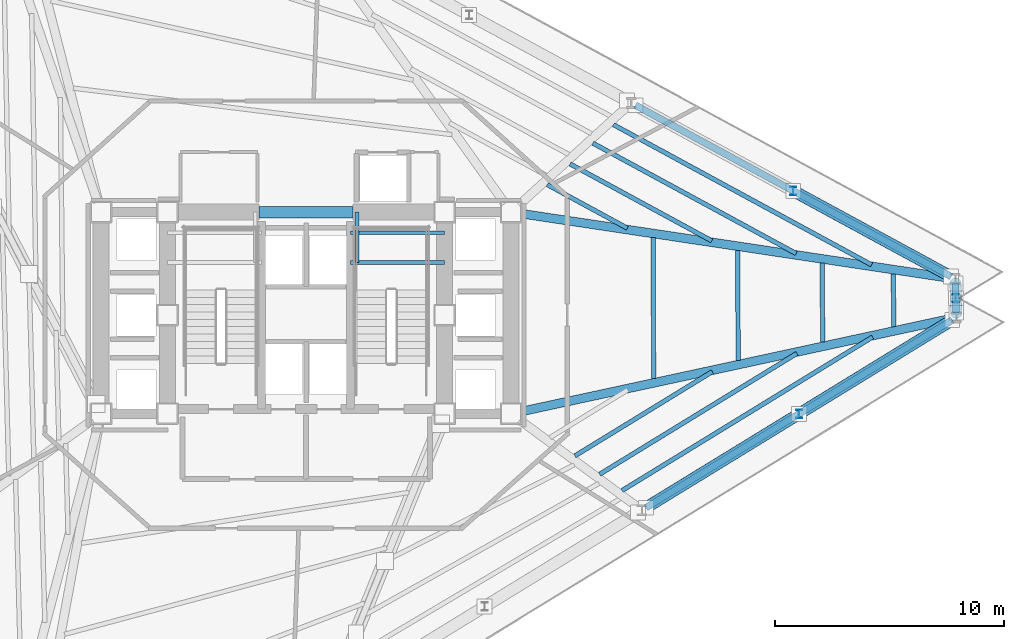
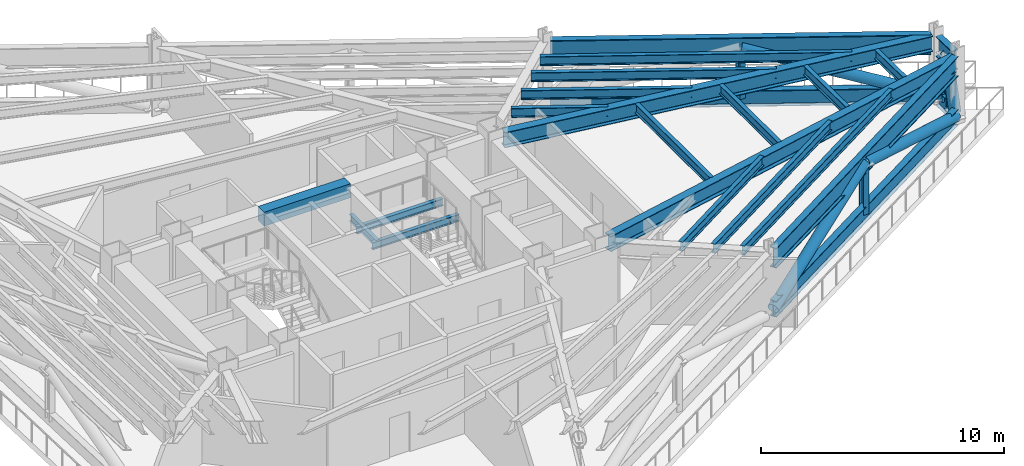
# One storey, part 3 of 10: 20 beams, 11 members.
"""IFC4 building model written with IfcOpenShell, lengths in metres."""

from ifc_helpers import new_model, si_unit, direction, frame, origin, origin_2d, place, context, subcontext, project, spatial, rectangle, hollow_circle, i_section, extrude, material, material_profile, profile_set, type_object, element, save


model = new_model("IFC4")

# Units and contexts
model_context = context("Model", 3, precision=1e-05, world=origin(), true_north=direction((0.0, 1.0)))
body_context = subcontext(model_context, "Body", "Model", "MODEL_VIEW")
ifc_project = project(units=[si_unit("LENGTHUNIT", "METRE"), si_unit("AREAUNIT", "SQUARE_METRE"), si_unit("VOLUMEUNIT", "CUBIC_METRE"), si_unit("PLANEANGLEUNIT", "RADIAN"), si_unit("MASSUNIT", "GRAM", prefix="KILO")], contexts=[model_context])

# Site, building, storey
site_placement = place(None, origin())
site = spatial("IfcSite", under=ifc_project, at=site_placement, CompositionType="ELEMENT")
building_placement = place(site_placement, origin())
building = spatial("IfcBuilding", under=site, at=building_placement, Name="Rocaltana Carrier Exchange", CompositionType="ELEMENT")
storey_placement = place(building_placement, frame((0.0, 0.0, 45.760009765625)))
storey = spatial("IfcBuildingStorey", under=building, at=storey_placement, Name="L14", CompositionType="ELEMENT", Elevation=45.760009765625)

# Members
ifc_material_1 = material(Name="Steel S460", Category="steel")
ifc_material_profile_1 = material_profile(ifc_material_1, i_section(OverallWidth=0.300048828125, OverallDepth=0.800048828125, WebThickness=0.017578125, FlangeThickness=0.032958984375, FilletRadius=0.030029296875, at=origin_2d()), Name="HEB800")
ifc_profile_set_1 = profile_set([ifc_material_profile_1], Name="Steel S460")
member_type_1 = type_object("IfcMemberType", Name="Belt Truss Chord HEB800", PredefinedType="CHORD", material=ifc_profile_set_1)
member_1_placement = place(storey_placement, frame((28.15771484375, 1.68408203125, 0.35009765625), z_axis=(-0.8788112834, 0.477169496269, 0.0), x_axis=(-0.477169496269, -0.8788112834, 0.0)))
element("IfcMember", 1, at=member_1_placement, inside=storey, type_object=member_type_1, Name="L14 Belt Truss Bottom Chord 1", PredefinedType="CHORD", context=body_context, shape_type="SweptSolid", body=[
    extrude(i_section(OverallWidth=0.300048828125, OverallDepth=0.800048828125, WebThickness=0.017578125, FlangeThickness=0.032958984375, FilletRadius=0.030029296875, at=origin_2d()), origin(), (0.0, 0.0, 1.0), 15.683837890625),
])
member_2_placement = place(storey_placement, frame((14.83447265625, -8.403076171875, 0.35009765625), z_axis=(0.852645545454, 0.522489783458, 0.0), x_axis=(-0.522489783458, 0.852645545454, 0.0)))
element("IfcMember", 2, at=member_2_placement, inside=storey, type_object=member_type_1, Name="L14 Belt Truss Bottom Chord 11", PredefinedType="CHORD", context=body_context, shape_type="SweptSolid", body=[
    extrude(i_section(OverallWidth=0.300048828125, OverallDepth=0.800048828125, WebThickness=0.017578125, FlangeThickness=0.032958984375, FilletRadius=0.030029296875, at=origin_2d()), origin(), (0.0, 0.0, 1.0), 15.68408203125),
])
member_3_placement = place(storey_placement, frame((28.37939453125, 0.1083984375, 0.35009765625), z_axis=(-0.026357275668, 0.999652586662, 0.0), x_axis=(-0.999652586662, -0.026357275668, 0.0)))
element("IfcMember", 3, at=member_3_placement, inside=storey, type_object=member_type_1, Name="L14 Belt Truss Bottom Chord 12", PredefinedType="CHORD", context=body_context, shape_type="SweptSolid", body=[
    extrude(i_section(OverallWidth=0.300048828125, OverallDepth=0.800048828125, WebThickness=0.017578125, FlangeThickness=0.032958984375, FilletRadius=0.030029296875, at=origin_2d()), origin(), (0.0, 0.0, 1.0), 1.26904296875),
])
ifc_material_2 = material(Name="Steel S460", Category="steel")
ifc_material_profile_2 = material_profile(ifc_material_2, hollow_circle(Radius=0.25390625, WallThickness=0.02001953125, at=origin_2d()), Name="CHS508X20")
ifc_profile_set_2 = profile_set([ifc_material_profile_2], Name="Steel S460")
member_type_2 = type_object("IfcMemberType", Name="Belt Truss Diagonal CHS508", PredefinedType="BRACE", material=ifc_profile_set_2)
member_4_placement = place(storey_placement, frame((28.15771484375, 1.68408203125, 0.35009765625), z_axis=(-0.837669257868, 0.454830548227, 0.302389462154), x_axis=(-0.477169496269, -0.8788112834, 0.0)))
element("IfcMember", 4, at=member_4_placement, inside=storey, type_object=member_type_2, Name="L14 Belt Truss Diagonal 1A", PredefinedType="BRACE", context=body_context, shape_type="SweptSolid", body=[
    extrude(hollow_circle(Radius=0.25390625, WallThickness=0.02001953125, at=origin_2d()), origin(), (0.0, 0.0, 1.0), 8.22705078125),
])
for number, where, z_axis, x_axis, name in (
    (5, (14.83447265625, -8.403076171875, 0.35009765625), (0.812729733487, 0.498029907884, 0.3023848395), (-0.522489783458, 0.852645545454, 0.0), "L14 Belt Truss Diagonal 11A"),
    (6, (21.52099609375, -4.3056640625, 2.837890625), (0.812729733487, 0.498029907884, -0.3023848395), (-0.522489783458, 0.852645545454, 0.0), "L14 Belt Truss Diagonal 11B"),
):
    element("IfcMember", number, at=place(storey_placement, frame(where, z_axis=z_axis, x_axis=x_axis)), inside=storey, type_object=member_type_2, Name=name, PredefinedType="BRACE", context=body_context, shape_type="SweptSolid", body=[
        extrude(hollow_circle(Radius=0.25390625, WallThickness=0.02001953125, at=origin_2d()), origin(), (0.0, 0.0, 1.0), 8.227294921875),
    ])
for number, where, z_axis, x_axis, name in (
    (7, (28.37939453125, 0.1083984375, 0.35009765625), (-0.006561305339, 0.247047409704, 0.968981179709), (-0.999647499115, -0.026549529422, 0.0), "L14 Belt Truss Diagonal 12A"),
    (8, (28.362548828125, 0.74267578125, 2.837890625), (-0.006466217962, 0.247047562726, -0.968981779899), (-0.999657637285, -0.02616501899, 0.0), "L14 Belt Truss Diagonal 12B"),
):
    element("IfcMember", number, at=place(storey_placement, frame(where, z_axis=z_axis, x_axis=x_axis)), inside=storey, type_object=member_type_2, Name=name, PredefinedType="BRACE", context=body_context, shape_type="SweptSolid", body=[
        extrude(hollow_circle(Radius=0.25390625, WallThickness=0.02001953125, at=origin_2d()), origin(), (0.0, 0.0, 1.0), 2.5673828125),
    ])
ifc_material_3 = material(Name="Steel S460", Category="steel")
ifc_material_profile_3 = material_profile(ifc_material_3, i_section(OverallWidth=0.257080078125, OverallDepth=0.363037109375, WebThickness=0.012939453125, FlangeThickness=0.021728515625, FilletRadius=0.014892578125, at=origin_2d()), Name="W14X82")
ifc_profile_set_3 = profile_set([ifc_material_profile_3], Name="Steel S460")
member_type_3 = type_object("IfcMemberType", Name="Belt Truss Post W14X82", PredefinedType="POST", material=ifc_profile_set_3)
for number, where, z_axis, x_axis, name in (
    (9, (21.26611328125, 5.426025390625, 0.35009765625), (0.0, 0.0, 1.0), (1.0, 0.0, 0.0), "L14 Belt Truss Post 1"),
    (10, (21.52099609375, -4.3056640625, 0.35009765625), (0.0, 0.0, 1.0), (1.0, 0.0, 0.0), "L14 Belt Truss Post 11"),
    (11, (28.362548828125, 0.74267578125, 0.35009765625), (0.0, 0.0, 1.0), (1.0, 0.0, 0.0), "L14 Belt Truss Post 12"),
):
    element("IfcMember", number, at=place(storey_placement, frame(where, z_axis=z_axis, x_axis=x_axis)), inside=storey, type_object=member_type_3, Name=name, PredefinedType="POST", context=body_context, shape_type="SweptSolid", body=[
        extrude(i_section(OverallWidth=0.257080078125, OverallDepth=0.363037109375, WebThickness=0.012939453125, FlangeThickness=0.021728515625, FilletRadius=0.014892578125, at=origin_2d()), origin(), (0.0, 0.0, 1.0), 2.48779296875),
    ])

# Beams
ifc_material_4 = material(Name="Concrete C60/75", Category="concrete")
ifc_material_profile_4 = material_profile(ifc_material_4, rectangle(XDim=0.5, YDim=0.699951171875, at=origin_2d()), Name="RC-BM-500X700")
ifc_profile_set_4 = profile_set([ifc_material_profile_4], Name="Concrete C60/75")
beam_type_1 = type_object("IfcBeamType", Name="Core Coupling Lintel 500x700", PredefinedType="LINTEL", material=ifc_profile_set_4)
beam_1_placement = place(storey_placement, frame((-2.050048828125, 4.5, 3.06787109375), z_axis=(1.0, 0.0, 0.0), x_axis=(0.0, 1.0, 0.0)))
element("IfcBeam", 12, at=beam_1_placement, inside=storey, type_object=beam_type_1, Name="L14 Core Coupling Lintel CL-N", PredefinedType="LINTEL", context=body_context, shape_type="SweptSolid", body=[
    extrude(rectangle(XDim=0.5, YDim=0.699951171875, at=origin_2d()), origin(), (0.0, 0.0, 1.0), 4.10009765625),
])
ifc_material_5 = material(Name="Steel S355", Category="steel")
ifc_material_profile_5 = material_profile(ifc_material_5, i_section(OverallWidth=0.172119140625, OverallDepth=0.35791015625, WebThickness=0.0078125, FlangeThickness=0.01318359375, FilletRadius=0.011962890625, at=origin_2d()), Name="W14X38")
ifc_profile_set_5 = profile_set([ifc_material_profile_5], Name="Steel S355")
beam_type_2 = type_object("IfcBeamType", Name="Floor Joist W14X38", PredefinedType="JOIST", material=ifc_profile_set_5)
for number, where, z_axis, x_axis, name in (
    (13, (1.93994140625, 2.300048828125, 1.541015625), (1.0, 0.0, 0.0), (0.0, 1.0, 0.0), "L14 ST-2 Landing Carrier 1"),
    (14, (1.93994140625, 3.60009765625, 1.541015625), (1.0, 0.0, 0.0), (0.0, 1.0, 0.0), "L14 ST-2 Landing Carrier 2"),
):
    element("IfcBeam", number, at=place(storey_placement, frame(where, z_axis=z_axis, x_axis=x_axis)), inside=storey, type_object=beam_type_2, Name=name, PredefinedType="JOIST", context=body_context, shape_type="SweptSolid", body=[
        extrude(i_section(OverallWidth=0.172119140625, OverallDepth=0.35791015625, WebThickness=0.0078125, FlangeThickness=0.01318359375, FilletRadius=0.011962890625, at=origin_2d()), origin(), (0.0, 0.0, 1.0), 4.110107421875),
    ])
beam_2_placement = place(storey_placement, frame((2.219970703125, 2.300048828125, 1.541015625), z_axis=(0.0, 1.0, 0.0), x_axis=(-1.0, 0.0, 0.0)))
element("IfcBeam", 15, at=beam_2_placement, inside=storey, type_object=beam_type_2, Name="L14 ST-2 Landing Cross Trimmer", PredefinedType="JOIST", context=body_context, shape_type="SweptSolid", body=[
    extrude(i_section(OverallWidth=0.172119140625, OverallDepth=0.35791015625, WebThickness=0.0078125, FlangeThickness=0.01318359375, FilletRadius=0.011962890625, at=origin_2d()), origin(), (0.0, 0.0, 1.0), 2.199951171875),
])
ifc_material_6 = material(Name="Steel S355", Category="steel")
ifc_material_profile_6 = material_profile(ifc_material_6, i_section(OverallWidth=0.193115234375, OverallDepth=0.466064453125, WebThickness=0.011474609375, FlangeThickness=0.01904296875, FilletRadius=0.013916015625, at=origin_2d()), Name="W18X65")
ifc_profile_set_6 = profile_set([ifc_material_profile_6], Name="Steel S355")
beam_type_3 = type_object("IfcBeamType", Name="Floor Joist W18X65", PredefinedType="JOIST", material=ifc_profile_set_6)
beam_3_placement = place(storey_placement, frame((14.023193359375, 3.801025390625, 3.18505859375), z_axis=(-0.878806371836, 0.477178541869, 0.0), x_axis=(-0.477178541869, -0.878806371836, 0.0)))
element("IfcBeam", 16, at=beam_3_placement, inside=storey, type_object=beam_type_3, Name="FJ-L14-01-1", PredefinedType="JOIST", context=body_context, shape_type="SweptSolid", body=[
    extrude(i_section(OverallWidth=0.193115234375, OverallDepth=0.466064453125, WebThickness=0.011474609375, FlangeThickness=0.01904296875, FilletRadius=0.013916015625, at=origin_2d()), origin(), (0.0, 0.0, 1.0), 3.97802734375),
])
beam_4_placement = place(storey_placement, frame((17.70751953125, 3.2470703125, 3.18505859375), z_axis=(-0.878825999006, 0.477142393286, 0.0), x_axis=(-0.477142393286, -0.878825999006, 0.0)))
element("IfcBeam", 17, at=beam_4_placement, inside=storey, type_object=beam_type_3, Name="FJ-L14-01-2", PredefinedType="JOIST", context=body_context, shape_type="SweptSolid", body=[
    extrude(i_section(OverallWidth=0.193115234375, OverallDepth=0.466064453125, WebThickness=0.011474609375, FlangeThickness=0.01904296875, FilletRadius=0.013916015625, at=origin_2d()), origin(), (0.0, 0.0, 1.0), 7.037109375),
])
beam_5_placement = place(storey_placement, frame((21.3916015625, 2.693115234375, 3.18505859375), z_axis=(-0.878812580621, 0.477167107146, 0.0), x_axis=(-0.477167107146, -0.878812580621, 0.0)))
element("IfcBeam", 18, at=beam_5_placement, inside=storey, type_object=beam_type_3, Name="FJ-L14-01-3", PredefinedType="JOIST", context=body_context, shape_type="SweptSolid", body=[
    extrude(i_section(OverallWidth=0.193115234375, OverallDepth=0.466064453125, WebThickness=0.011474609375, FlangeThickness=0.01904296875, FilletRadius=0.013916015625, at=origin_2d()), origin(), (0.0, 0.0, 1.0), 10.095703125),
])
beam_6_placement = place(storey_placement, frame((24.688232421875, 2.19775390625, 3.18505859375), z_axis=(-0.87881947076, 0.477154417157, 0.0), x_axis=(-0.477154417157, -0.87881947076, 0.0)))
element("IfcBeam", 19, at=beam_6_placement, inside=storey, type_object=beam_type_3, Name="FJ-L14-01-4", PredefinedType="JOIST", context=body_context, shape_type="SweptSolid", body=[
    extrude(i_section(OverallWidth=0.193115234375, OverallDepth=0.466064453125, WebThickness=0.011474609375, FlangeThickness=0.01904296875, FilletRadius=0.013916015625, at=origin_2d()), origin(), (0.0, 0.0, 1.0), 12.8330078125),
])
beam_7_placement = place(storey_placement, frame((11.732666015625, -6.14111328125, 3.18505859375), z_axis=(0.852627678222, 0.522518939685, 0.0), x_axis=(-0.522518939685, 0.852627678222, 0.0)))
element("IfcBeam", 20, at=beam_7_placement, inside=storey, type_object=beam_type_3, Name="FJ-L14-11-2", PredefinedType="JOIST", context=body_context, shape_type="SweptSolid", body=[
    extrude(i_section(OverallWidth=0.193115234375, OverallDepth=0.466064453125, WebThickness=0.011474609375, FlangeThickness=0.01904296875, FilletRadius=0.013916015625, at=origin_2d()), origin(), (0.0, 0.0, 1.0), 7.037109375),
])
beam_8_placement = place(storey_placement, frame((12.81689453125, -6.941162109375, 3.18505859375), z_axis=(0.852643997252, 0.522492309944, 0.0), x_axis=(-0.522492309944, 0.852643997252, 0.0)))
element("IfcBeam", 21, at=beam_8_placement, inside=storey, type_object=beam_type_3, Name="FJ-L14-11-3", PredefinedType="JOIST", context=body_context, shape_type="SweptSolid", body=[
    extrude(i_section(OverallWidth=0.193115234375, OverallDepth=0.466064453125, WebThickness=0.011474609375, FlangeThickness=0.01904296875, FilletRadius=0.013916015625, at=origin_2d()), origin(), (0.0, 0.0, 1.0), 10.09619140625),
])
beam_9_placement = place(storey_placement, frame((13.787109375, -7.6572265625, 3.18505859375), z_axis=(0.852635975112, 0.522505400876, 0.0), x_axis=(-0.522505400876, 0.852635975112, 0.0)))
element("IfcBeam", 22, at=beam_9_placement, inside=storey, type_object=beam_type_3, Name="FJ-L14-11-4", PredefinedType="JOIST", context=body_context, shape_type="SweptSolid", body=[
    extrude(i_section(OverallWidth=0.193115234375, OverallDepth=0.466064453125, WebThickness=0.011474609375, FlangeThickness=0.01904296875, FilletRadius=0.013916015625, at=origin_2d()), origin(), (0.0, 0.0, 1.0), 12.8330078125),
])
beam_10_placement = place(storey_placement, frame((15.168701171875, -2.771240234375, 3.18505859375), z_axis=(-0.002142257154, 0.999997705365, 0.0), x_axis=(-0.999997705365, -0.002142257154, 0.0)))
element("IfcBeam", 23, at=beam_10_placement, inside=storey, type_object=beam_type_3, Name="FJ-L14-12-1", PredefinedType="JOIST", context=body_context, shape_type="SweptSolid", body=[
    extrude(i_section(OverallWidth=0.193115234375, OverallDepth=0.466064453125, WebThickness=0.011474609375, FlangeThickness=0.01904296875, FilletRadius=0.013916015625, at=origin_2d()), origin(), (0.0, 0.0, 1.0), 6.154052734375),
])
beam_11_placement = place(storey_placement, frame((18.86083984375, -1.97314453125, 3.18505859375), z_axis=(-0.004321480823, 0.999990662358, 0.0), x_axis=(-0.999990662358, -0.004321480823, 0.0)))
element("IfcBeam", 24, at=beam_11_placement, inside=storey, type_object=beam_type_3, Name="FJ-L14-12-2", PredefinedType="JOIST", context=body_context, shape_type="SweptSolid", body=[
    extrude(i_section(OverallWidth=0.193115234375, OverallDepth=0.466064453125, WebThickness=0.011474609375, FlangeThickness=0.01904296875, FilletRadius=0.013916015625, at=origin_2d()), origin(), (0.0, 0.0, 1.0), 4.802001953125),
])
beam_12_placement = place(storey_placement, frame((22.552734375, -1.17529296875, 3.18505859375), z_axis=(-0.008066536301, 0.999967464967, 0.0), x_axis=(-0.999967464967, -0.008066536301, 0.0)))
element("IfcBeam", 25, at=beam_12_placement, inside=storey, type_object=beam_type_3, Name="FJ-L14-12-3", PredefinedType="JOIST", context=body_context, shape_type="SweptSolid", body=[
    extrude(i_section(OverallWidth=0.193115234375, OverallDepth=0.466064453125, WebThickness=0.011474609375, FlangeThickness=0.01904296875, FilletRadius=0.013916015625, at=origin_2d()), origin(), (0.0, 0.0, 1.0), 3.4501953125),
])
beam_13_placement = place(storey_placement, frame((25.6611328125, -0.503173828125, 3.18505859375), z_axis=(-0.014150024752, 0.999899883388, 0.0), x_axis=(-0.999899883388, -0.014150024752, 0.0)))
element("IfcBeam", 26, at=beam_13_placement, inside=storey, type_object=beam_type_3, Name="FJ-L14-12-4", PredefinedType="JOIST", context=body_context, shape_type="SweptSolid", body=[
    extrude(i_section(OverallWidth=0.193115234375, OverallDepth=0.466064453125, WebThickness=0.011474609375, FlangeThickness=0.01904296875, FilletRadius=0.013916015625, at=origin_2d()), origin(), (0.0, 0.0, 1.0), 2.31201171875),
])
ifc_material_7 = material(Name="Steel S355", Category="steel")
ifc_material_profile_7 = material_profile(ifc_material_7, i_section(OverallWidth=0.381103515625, OverallDepth=0.77294921875, WebThickness=0.0166015625, FlangeThickness=0.027099609375, FilletRadius=0.01904296875, at=origin_2d()), Name="W30X173")
ifc_profile_set_7 = profile_set([ifc_material_profile_7], Name="Steel S355")
beam_type_4 = type_object("IfcBeamType", Name="Plant Floor Girder W30X173", PredefinedType="BEAM", material=ifc_profile_set_7)
beam_14_placement = place(storey_placement, frame((9.411865234375, 4.4306640625, 3.031494140625), z_axis=(0.988886936912, -0.148669519418, 0.0), x_axis=(0.148669519418, 0.988886936912, 0.0)))
element("IfcBeam", 27, at=beam_14_placement, inside=storey, type_object=beam_type_4, Name="RG-L14-01", PredefinedType="BEAM", context=body_context, shape_type="SweptSolid", body=[
    extrude(i_section(OverallWidth=0.381103515625, OverallDepth=0.77294921875, WebThickness=0.0166015625, FlangeThickness=0.027099609375, FilletRadius=0.01904296875, at=origin_2d()), origin(), (0.0, 0.0, 1.0), 18.9375),
])
beam_15_placement = place(storey_placement, frame((9.406494140625, -4.201416015625, 3.031494140625), z_axis=(0.977429699022, 0.211260936923, 0.0), x_axis=(-0.211260936923, 0.977429699022, 0.0)))
element("IfcBeam", 28, at=beam_15_placement, inside=storey, type_object=beam_type_4, Name="RG-L14-12", PredefinedType="BEAM", context=body_context, shape_type="SweptSolid", body=[
    extrude(i_section(OverallWidth=0.381103515625, OverallDepth=0.77294921875, WebThickness=0.0166015625, FlangeThickness=0.027099609375, FilletRadius=0.01904296875, at=origin_2d()), origin(), (0.0, 0.0, 1.0), 19.21240234375),
])
ifc_material_8 = material(Name="Steel S460", Category="steel")
ifc_material_profile_8 = material_profile(ifc_material_8, i_section(OverallWidth=0.302001953125, OverallDepth=1.008056640625, WebThickness=0.02099609375, FlangeThickness=0.0400390625, FilletRadius=0.030029296875, at=origin_2d()), Name="HEM1000")
ifc_profile_set_8 = profile_set([ifc_material_profile_8], Name="Steel S460")
beam_type_5 = type_object("IfcBeamType", Name="Transfer Ring Girder HEM1000", PredefinedType="USERDEFINED", material=ifc_profile_set_8)
for number, where, z_axis, x_axis, name in (
    (29, (28.161376953125, 1.68212890625, 2.9140625), (-0.878809627373, 0.47717254619, 0.0), (-0.47717254619, -0.878809627373, 0.0), "SP-L14-01"),
    (30, (14.8310546875, -8.405029296875, 2.9140625), (0.852642393394, 0.522494927236, 0.0), (-0.522494927236, 0.852642393394, 0.0), "SP-L14-11"),
):
    element("IfcBeam", number, at=place(storey_placement, frame(where, z_axis=z_axis, x_axis=x_axis)), inside=storey, type_object=beam_type_5, Name=name, ObjectType="TRANSFER GIRDER", PredefinedType="USERDEFINED", context=body_context, shape_type="SweptSolid", body=[
        extrude(i_section(OverallWidth=0.302001953125, OverallDepth=1.008056640625, WebThickness=0.02099609375, FlangeThickness=0.0400390625, FilletRadius=0.030029296875, at=origin_2d()), origin(), (0.0, 0.0, 1.0), 15.69189453125),
    ])
beam_16_placement = place(storey_placement, frame((28.37939453125, 0.1044921875, 2.9140625), z_axis=(-0.026191050472, 0.999656955598, 0.0), x_axis=(-0.999656955598, -0.026191050472, 0.0)))
element("IfcBeam", 31, at=beam_16_placement, inside=storey, type_object=beam_type_5, Name="SP-L14-12", ObjectType="TRANSFER GIRDER", PredefinedType="USERDEFINED", context=body_context, shape_type="SweptSolid", body=[
    extrude(i_section(OverallWidth=0.302001953125, OverallDepth=1.008056640625, WebThickness=0.02099609375, FlangeThickness=0.0400390625, FilletRadius=0.030029296875, at=origin_2d()), origin(), (0.0, 0.0, 1.0), 1.277099609375),
])

save(model, "model.ifc")
